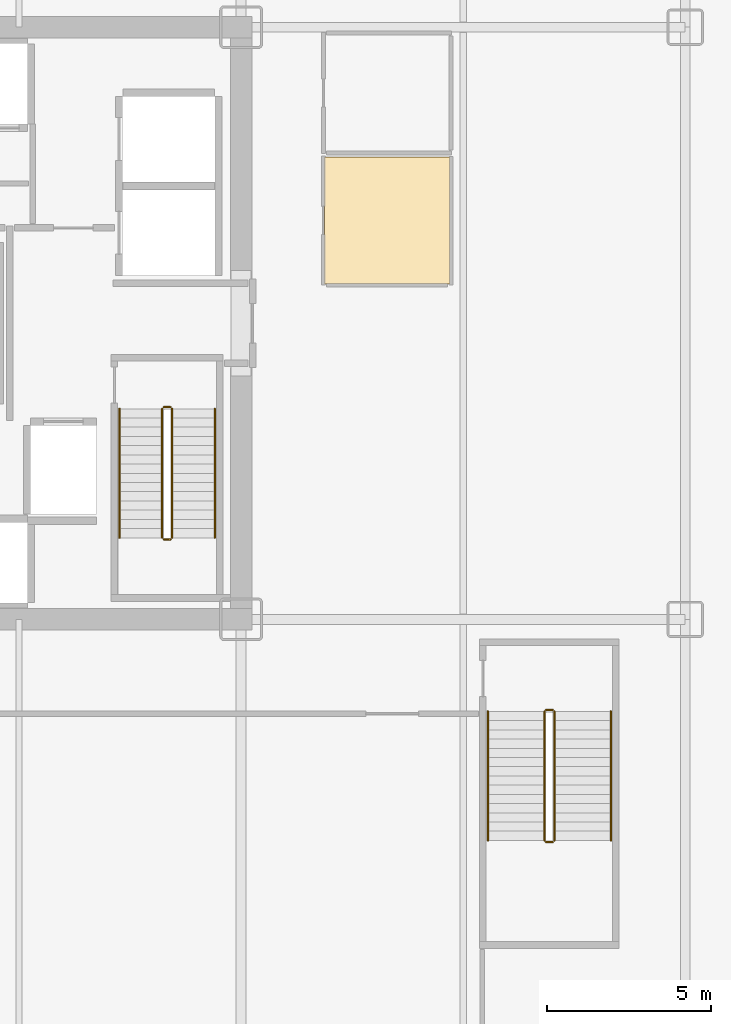
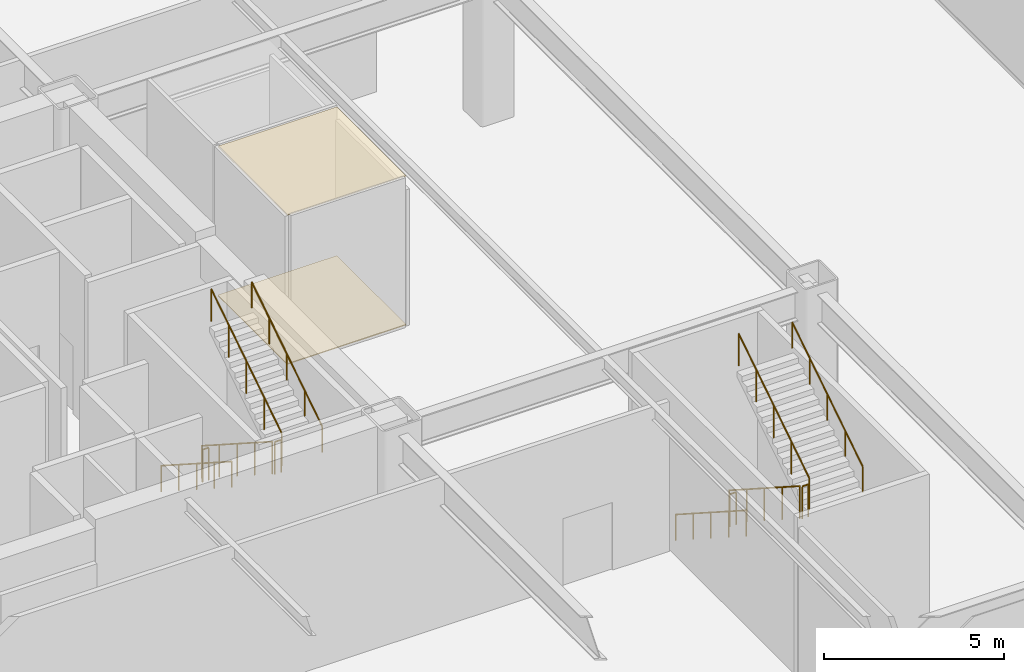
# One storey, part 22 of 24: 12 railings, 2 coverings.
"""IFC4 building model written with IfcOpenShell, lengths in metres."""

from ifc_helpers import new_model, si_unit, direction, frame, origin, origin_2d, place, context, subcontext, project, spatial, polyline, circle, outline, extrude, material, layer, layer_set, type_object, element, save


model = new_model("IFC4")

# Units and contexts
model_context = context("Model", 3, precision=1e-05, world=origin(), true_north=direction((0.0, 1.0)))
body_context = subcontext(model_context, "Body", "Model", "MODEL_VIEW")
ifc_project = project(units=[si_unit("LENGTHUNIT", "METRE"), si_unit("AREAUNIT", "SQUARE_METRE"), si_unit("VOLUMEUNIT", "CUBIC_METRE"), si_unit("PLANEANGLEUNIT", "RADIAN"), si_unit("MASSUNIT", "GRAM", prefix="KILO")], contexts=[model_context])

# Site, building, storey
site_placement = place(None, origin())
site = spatial("IfcSite", under=ifc_project, at=site_placement, CompositionType="ELEMENT")
building_placement = place(site_placement, origin())
building = spatial("IfcBuilding", under=site, at=building_placement, Name="Nefas-Gora Pilgrimage Tower", CompositionType="ELEMENT")
storey_placement = place(building_placement, frame((0.0, 0.0, 11.39990234375)))
storey = spatial("IfcBuildingStorey", under=building, at=storey_placement, Name="L02", CompositionType="ELEMENT", Elevation=11.39990234375)

# Coverings
ifc_material_1 = material(Name="Perforated gypsum acoustic ceiling")
ifc_layer_1 = layer(ifc_material_1, 0.02490234375)
ifc_layer_set_1 = layer_set([ifc_layer_1], Name="Perforated gypsum acoustic ceiling")
covering_type_1 = type_object("IfcCoveringType", Name="COV-CEIL-ACOUST", PredefinedType="CEILING", material=ifc_layer_set_1)
covering_1_placement = place(storey_placement, frame((0.0, 0.0, 5.05517578125)))
element("IfcCovering", 1, at=covering_1_placement, inside=storey, type_object=covering_type_1, Name="L02 Acoustic Suspended Ceiling (L02 Podium Public Washroom WC)", PredefinedType="CEILING", context=body_context, shape_type="SweptSolid", body=[
    extrude(outline(polyline([(13.780029296875, 5.050048828125), (13.780029296875, 1.199951171875), (17.60009765625, 1.199951171875), (17.60009765625, 5.050048828125), (13.780029296875, 5.050048828125)])), origin(), (0.0, 0.0, 1.0), 0.02490234375),
])
ifc_material_2 = material(Name="Honed granite stone flooring", Category="masonry")
ifc_layer_2 = layer(ifc_material_2, 0.030029296875)
ifc_layer_set_2 = layer_set([ifc_layer_2], Name="Honed granite stone flooring")
covering_type_2 = type_object("IfcCoveringType", Name="COV-FLOR-GRAN", PredefinedType="FLOORING", material=ifc_layer_set_2)
covering_2_placement = place(storey_placement, origin())
element("IfcCovering", 2, at=covering_2_placement, inside=storey, type_object=covering_type_2, Name="L02 Honed Granite Flooring (L02 Podium Public Washroom WC)", PredefinedType="FLOORING", context=body_context, shape_type="SweptSolid", body=[
    extrude(outline(polyline([(13.780029296875, 5.050048828125), (13.780029296875, 1.199951171875), (17.60009765625, 1.199951171875), (17.60009765625, 5.050048828125), (13.780029296875, 5.050048828125)])), origin(), (0.0, 0.0, 1.0), 0.030029296875),
])

# Railings
ifc_material_3 = material(Name="Painted galvanised steel", Category="steel")
railing_type_1 = type_object("IfcRailingType", Name="RLG-STR-GUARD-1100", PredefinedType="GUARDRAIL", material=ifc_material_3)
railing_1_placement = place(storey_placement, frame((8.85009765625, -2.60009765625, 0.18017578125)))
element("IfcRailing", 3, at=railing_1_placement, inside=storey, type_object=railing_type_1, Name="L02 ST-02 stair guard 1", PredefinedType="GUARDRAIL", context=body_context, shape_type="SweptSolid", body=[
    extrude(circle(Radius=0.02392578125, at=origin_2d()), frame((0.0, 0.0, 1.09619140625), z_axis=(0.0, -0.841171666519, 0.540768182723), x_axis=(1.0, 0.0, 0.0)), (0.0, 0.0, 1.0), 4.66015625),
    extrude(circle(Radius=0.02099609375, at=origin_2d()), origin(), (0.0, 0.0, 1.0), 1.072021484375),
    extrude(circle(Radius=0.02099609375, at=origin_2d()), frame((0.0, -0.97998046875, 0.6298828125)), (0.0, 0.0, 1.0), 1.072021484375),
    extrude(circle(Radius=0.02099609375, at=origin_2d()), frame((0.0, -1.9599609375, 1.260009765625)), (0.0, 0.0, 1.0), 1.072021484375),
    extrude(circle(Radius=0.02099609375, at=origin_2d()), frame((0.0, -2.93994140625, 1.89013671875)), (0.0, 0.0, 1.0), 1.072021484375),
    extrude(circle(Radius=0.02099609375, at=origin_2d()), frame((0.0, -3.919921875, 2.52001953125)), (0.0, 0.0, 1.0), 1.072021484375),
])
railing_2_placement = place(storey_placement, frame((8.89990234375, -6.570068359375, 2.7001953125)))
element("IfcRailing", 4, at=railing_2_placement, inside=storey, type_object=railing_type_1, Name="L02 ST-02 stair guard 2", PredefinedType="GUARDRAIL", context=body_context, shape_type="SweptSolid", body=[
    extrude(circle(Radius=0.02392578125, at=origin_2d()), frame((0.0, 0.0, 1.09619140625), z_axis=(1.0, 0.0, 0.0), x_axis=(0.0, 1.0, 0.0)), (0.0, 0.0, 1.0), 0.2001953125),
    extrude(circle(Radius=0.02099609375, at=origin_2d()), origin(), (0.0, 0.0, 1.0), 1.072021484375),
    extrude(circle(Radius=0.02099609375, at=origin_2d()), frame((0.2001953125, 0.0, 0.0)), (0.0, 0.0, 1.0), 1.072021484375),
])
railing_3_placement = place(storey_placement, frame((9.14990234375, -6.52001953125, 2.880126953125)))
element("IfcRailing", 5, at=railing_3_placement, inside=storey, type_object=railing_type_1, Name="L02 ST-02 stair guard 3", PredefinedType="GUARDRAIL", context=body_context, shape_type="SweptSolid", body=[
    extrude(circle(Radius=0.02392578125, at=origin_2d()), frame((0.0, 0.0, 1.09619140625), z_axis=(0.0, 0.841171666519, 0.540768182723), x_axis=(-1.0, 0.0, 0.0)), (0.0, 0.0, 1.0), 4.66015625),
    extrude(circle(Radius=0.02099609375, at=origin_2d()), origin(), (0.0, 0.0, 1.0), 1.072021484375),
    extrude(circle(Radius=0.02099609375, at=origin_2d()), frame((0.0, 0.97998046875, 0.6298828125)), (0.0, 0.0, 1.0), 1.072021484375),
    extrude(circle(Radius=0.02099609375, at=origin_2d()), frame((0.0, 1.9599609375, 1.260009765625)), (0.0, 0.0, 1.0), 1.072021484375),
    extrude(circle(Radius=0.02099609375, at=origin_2d()), frame((0.0, 2.93994140625, 1.89013671875)), (0.0, 0.0, 1.0), 1.072021484375),
    extrude(circle(Radius=0.02099609375, at=origin_2d()), frame((0.0, 3.919921875, 2.52001953125)), (0.0, 0.0, 1.0), 1.072021484375),
])
railing_4_placement = place(storey_placement, frame((8.89990234375, -2.550048828125, 0.0)))
element("IfcRailing", 6, at=railing_4_placement, inside=storey, type_object=railing_type_1, Name="L02 ST-02 stair guard 4", PredefinedType="GUARDRAIL", context=body_context, shape_type="SweptSolid", body=[
    extrude(circle(Radius=0.02392578125, at=origin_2d()), frame((0.0, 0.0, 1.09619140625), z_axis=(1.0, 0.0, 0.0), x_axis=(0.0, 1.0, 0.0)), (0.0, 0.0, 1.0), 0.2001953125),
    extrude(circle(Radius=0.02099609375, at=origin_2d()), origin(), (0.0, 0.0, 1.0), 1.072021484375),
    extrude(circle(Radius=0.02099609375, at=origin_2d()), frame((0.2001953125, 0.0, 0.0)), (0.0, 0.0, 1.0), 1.072021484375),
])
railing_5_placement = place(storey_placement, frame((20.469970703125, -11.800048828125, 0.18017578125)))
element("IfcRailing", 7, at=railing_5_placement, inside=storey, type_object=railing_type_1, Name="L02 ST-06 stair guard 1", PredefinedType="GUARDRAIL", context=body_context, shape_type="SweptSolid", body=[
    extrude(circle(Radius=0.02392578125, at=origin_2d()), frame((0.0, 0.0, 1.09619140625), z_axis=(0.0, -0.841171666519, 0.540768182723), x_axis=(1.0, 0.0, 0.0)), (0.0, 0.0, 1.0), 4.66015625),
    extrude(circle(Radius=0.02099609375, at=origin_2d()), origin(), (0.0, 0.0, 1.0), 1.072021484375),
    extrude(circle(Radius=0.02099609375, at=origin_2d()), frame((0.0, -0.97998046875, 0.6298828125)), (0.0, 0.0, 1.0), 1.072021484375),
    extrude(circle(Radius=0.02099609375, at=origin_2d()), frame((0.0, -1.9599609375, 1.260009765625)), (0.0, 0.0, 1.0), 1.072021484375),
    extrude(circle(Radius=0.02099609375, at=origin_2d()), frame((0.0, -2.93994140625, 1.89013671875)), (0.0, 0.0, 1.0), 1.072021484375),
    extrude(circle(Radius=0.02099609375, at=origin_2d()), frame((0.0, -3.919921875, 2.52001953125)), (0.0, 0.0, 1.0), 1.072021484375),
])
railing_6_placement = place(storey_placement, frame((20.52001953125, -15.77001953125, 2.7001953125)))
element("IfcRailing", 8, at=railing_6_placement, inside=storey, type_object=railing_type_1, Name="L02 ST-06 stair guard 2", PredefinedType="GUARDRAIL", context=body_context, shape_type="SweptSolid", body=[
    extrude(circle(Radius=0.02392578125, at=origin_2d()), frame((0.0, 0.0, 1.09619140625), z_axis=(1.0, 0.0, 0.0), x_axis=(0.0, 1.0, 0.0)), (0.0, 0.0, 1.0), 0.199951171875),
    extrude(circle(Radius=0.02099609375, at=origin_2d()), origin(), (0.0, 0.0, 1.0), 1.072021484375),
    extrude(circle(Radius=0.02099609375, at=origin_2d()), frame((0.199951171875, 0.0, 0.0)), (0.0, 0.0, 1.0), 1.072021484375),
])
railing_7_placement = place(storey_placement, frame((20.77001953125, -15.719970703125, 2.880126953125)))
element("IfcRailing", 9, at=railing_7_placement, inside=storey, type_object=railing_type_1, Name="L02 ST-06 stair guard 3", PredefinedType="GUARDRAIL", context=body_context, shape_type="SweptSolid", body=[
    extrude(circle(Radius=0.02392578125, at=origin_2d()), frame((0.0, 0.0, 1.09619140625), z_axis=(0.0, 0.841171666519, 0.540768182723), x_axis=(-1.0, 0.0, 0.0)), (0.0, 0.0, 1.0), 4.66015625),
    extrude(circle(Radius=0.02099609375, at=origin_2d()), origin(), (0.0, 0.0, 1.0), 1.072021484375),
    extrude(circle(Radius=0.02099609375, at=origin_2d()), frame((0.0, 0.97998046875, 0.6298828125)), (0.0, 0.0, 1.0), 1.072021484375),
    extrude(circle(Radius=0.02099609375, at=origin_2d()), frame((0.0, 1.9599609375, 1.260009765625)), (0.0, 0.0, 1.0), 1.072021484375),
    extrude(circle(Radius=0.02099609375, at=origin_2d()), frame((0.0, 2.93994140625, 1.89013671875)), (0.0, 0.0, 1.0), 1.072021484375),
    extrude(circle(Radius=0.02099609375, at=origin_2d()), frame((0.0, 3.919921875, 2.52001953125)), (0.0, 0.0, 1.0), 1.072021484375),
])
railing_8_placement = place(storey_placement, frame((20.52001953125, -11.75, 0.0)))
element("IfcRailing", 10, at=railing_8_placement, inside=storey, type_object=railing_type_1, Name="L02 ST-06 stair guard 4", PredefinedType="GUARDRAIL", context=body_context, shape_type="SweptSolid", body=[
    extrude(circle(Radius=0.02392578125, at=origin_2d()), frame((0.0, 0.0, 1.09619140625), z_axis=(1.0, 0.0, 0.0), x_axis=(0.0, 1.0, 0.0)), (0.0, 0.0, 1.0), 0.199951171875),
    extrude(circle(Radius=0.02099609375, at=origin_2d()), origin(), (0.0, 0.0, 1.0), 1.072021484375),
    extrude(circle(Radius=0.02099609375, at=origin_2d()), frame((0.199951171875, 0.0, 0.0)), (0.0, 0.0, 1.0), 1.072021484375),
])
ifc_material_4 = material(Name="Brushed stainless steel", Category="steel")
railing_type_2 = type_object("IfcRailingType", Name="RLG-STR-HAND-900", PredefinedType="HANDRAIL", material=ifc_material_4)
railing_9_placement = place(storey_placement, frame((7.550048828125, -2.60009765625, 0.18017578125)))
element("IfcRailing", 11, at=railing_9_placement, inside=storey, type_object=railing_type_2, Name="L02 ST-02 stair handrail 1", PredefinedType="HANDRAIL", context=body_context, shape_type="SweptSolid", body=[
    extrude(circle(Radius=0.02392578125, at=origin_2d()), frame((0.0, 0.0, 0.8759765625), z_axis=(0.0, -0.841171666519, 0.540768182723), x_axis=(1.0, 0.0, 0.0)), (0.0, 0.0, 1.0), 4.66015625),
    extrude(circle(Radius=0.02099609375, at=origin_2d()), origin(), (0.0, 0.0, 1.0), 0.851806640625),
    extrude(circle(Radius=0.02099609375, at=origin_2d()), frame((0.0, -0.97998046875, 0.6298828125)), (0.0, 0.0, 1.0), 0.851806640625),
    extrude(circle(Radius=0.02099609375, at=origin_2d()), frame((0.0, -1.9599609375, 1.260009765625)), (0.0, 0.0, 1.0), 0.851806640625),
    extrude(circle(Radius=0.02099609375, at=origin_2d()), frame((0.0, -2.93994140625, 1.89013671875)), (0.0, 0.0, 1.0), 0.851806640625),
    extrude(circle(Radius=0.02099609375, at=origin_2d()), frame((0.0, -3.919921875, 2.52001953125)), (0.0, 0.0, 1.0), 0.851806640625),
])
railing_10_placement = place(storey_placement, frame((10.449951171875, -6.52001953125, 2.880126953125)))
element("IfcRailing", 12, at=railing_10_placement, inside=storey, type_object=railing_type_2, Name="L02 ST-02 stair handrail 2", PredefinedType="HANDRAIL", context=body_context, shape_type="SweptSolid", body=[
    extrude(circle(Radius=0.02392578125, at=origin_2d()), frame((0.0, 0.0, 0.8759765625), z_axis=(0.0, 0.841171666519, 0.540768182723), x_axis=(-1.0, 0.0, 0.0)), (0.0, 0.0, 1.0), 4.66015625),
    extrude(circle(Radius=0.02099609375, at=origin_2d()), origin(), (0.0, 0.0, 1.0), 0.851806640625),
    extrude(circle(Radius=0.02099609375, at=origin_2d()), frame((0.0, 0.97998046875, 0.6298828125)), (0.0, 0.0, 1.0), 0.851806640625),
    extrude(circle(Radius=0.02099609375, at=origin_2d()), frame((0.0, 1.9599609375, 1.260009765625)), (0.0, 0.0, 1.0), 0.851806640625),
    extrude(circle(Radius=0.02099609375, at=origin_2d()), frame((0.0, 2.93994140625, 1.89013671875)), (0.0, 0.0, 1.0), 0.851806640625),
    extrude(circle(Radius=0.02099609375, at=origin_2d()), frame((0.0, 3.919921875, 2.52001953125)), (0.0, 0.0, 1.0), 0.851806640625),
])
railing_11_placement = place(storey_placement, frame((18.75, -11.800048828125, 0.18017578125)))
element("IfcRailing", 13, at=railing_11_placement, inside=storey, type_object=railing_type_2, Name="L02 ST-06 stair handrail 1", PredefinedType="HANDRAIL", context=body_context, shape_type="SweptSolid", body=[
    extrude(circle(Radius=0.02392578125, at=origin_2d()), frame((0.0, 0.0, 0.8759765625), z_axis=(0.0, -0.841171666519, 0.540768182723), x_axis=(1.0, 0.0, 0.0)), (0.0, 0.0, 1.0), 4.66015625),
    extrude(circle(Radius=0.02099609375, at=origin_2d()), origin(), (0.0, 0.0, 1.0), 0.851806640625),
    extrude(circle(Radius=0.02099609375, at=origin_2d()), frame((0.0, -0.97998046875, 0.6298828125)), (0.0, 0.0, 1.0), 0.851806640625),
    extrude(circle(Radius=0.02099609375, at=origin_2d()), frame((0.0, -1.9599609375, 1.260009765625)), (0.0, 0.0, 1.0), 0.851806640625),
    extrude(circle(Radius=0.02099609375, at=origin_2d()), frame((0.0, -2.93994140625, 1.89013671875)), (0.0, 0.0, 1.0), 0.851806640625),
    extrude(circle(Radius=0.02099609375, at=origin_2d()), frame((0.0, -3.919921875, 2.52001953125)), (0.0, 0.0, 1.0), 0.851806640625),
])
railing_12_placement = place(storey_placement, frame((22.489990234375, -15.719970703125, 2.880126953125)))
element("IfcRailing", 14, at=railing_12_placement, inside=storey, type_object=railing_type_2, Name="L02 ST-06 stair handrail 2", PredefinedType="HANDRAIL", context=body_context, shape_type="SweptSolid", body=[
    extrude(circle(Radius=0.02392578125, at=origin_2d()), frame((0.0, 0.0, 0.8759765625), z_axis=(0.0, 0.841171666519, 0.540768182723), x_axis=(-1.0, 0.0, 0.0)), (0.0, 0.0, 1.0), 4.66015625),
    extrude(circle(Radius=0.02099609375, at=origin_2d()), origin(), (0.0, 0.0, 1.0), 0.851806640625),
    extrude(circle(Radius=0.02099609375, at=origin_2d()), frame((0.0, 0.97998046875, 0.6298828125)), (0.0, 0.0, 1.0), 0.851806640625),
    extrude(circle(Radius=0.02099609375, at=origin_2d()), frame((0.0, 1.9599609375, 1.260009765625)), (0.0, 0.0, 1.0), 0.851806640625),
    extrude(circle(Radius=0.02099609375, at=origin_2d()), frame((0.0, 2.93994140625, 1.89013671875)), (0.0, 0.0, 1.0), 0.851806640625),
    extrude(circle(Radius=0.02099609375, at=origin_2d()), frame((0.0, 3.919921875, 2.52001953125)), (0.0, 0.0, 1.0), 0.851806640625),
])

save(model, "model.ifc")
